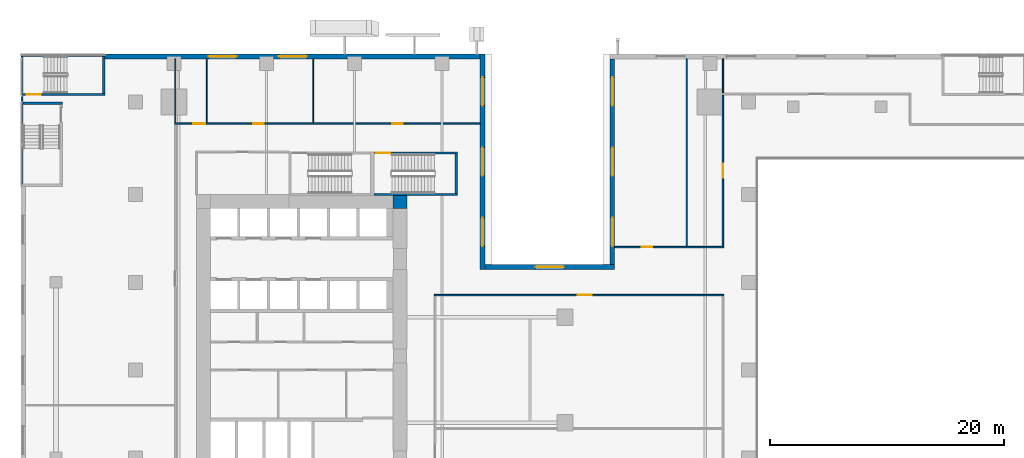
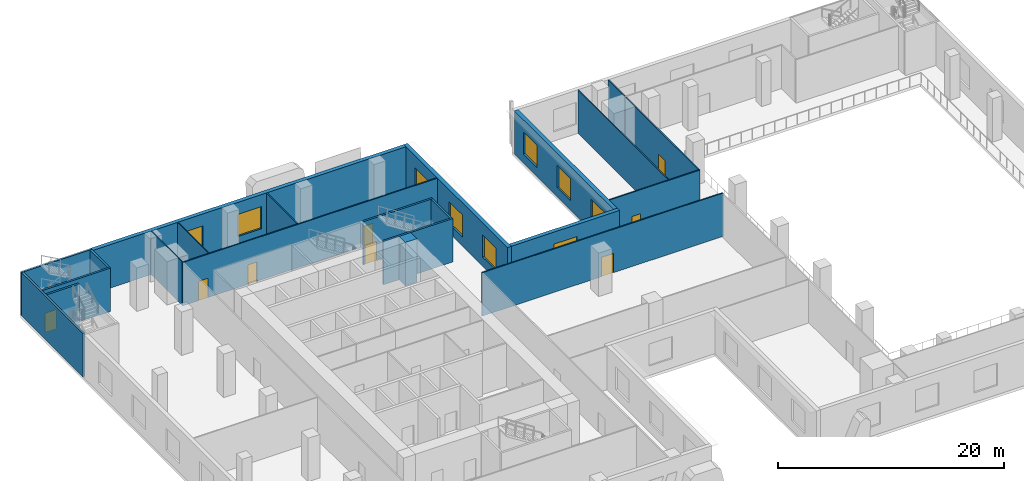
# One storey, part 13 of 23: 22 walls, 9 windows, 8 doors, 17 openings.
"""IFC4 building model written with IfcOpenShell, lengths in metres."""

from ifc_helpers import new_model, si_unit, direction, frame, frame_2d, origin, place, context, subcontext, project, spatial, rectangle, extrude, source, transform, mapped, material, layer, layer_set, type_object, element, fill, save


model = new_model("IFC4")

# Units and contexts
model_context = context("Model", 3, precision=1e-05, world=origin(), true_north=direction((0.0, 1.0)))
body_context = subcontext(model_context, "Body", "Model", "MODEL_VIEW")
ifc_project = project(units=[si_unit("LENGTHUNIT", "METRE"), si_unit("AREAUNIT", "SQUARE_METRE"), si_unit("VOLUMEUNIT", "CUBIC_METRE"), si_unit("PLANEANGLEUNIT", "RADIAN"), si_unit("MASSUNIT", "GRAM", prefix="KILO")], contexts=[model_context])

# Site, building, storey
site_placement = place(None, origin())
site = spatial("IfcSite", under=ifc_project, at=site_placement, CompositionType="ELEMENT")
building_placement = place(site_placement, origin())
building = spatial("IfcBuilding", under=site, at=building_placement, Name="Khomas Fold Tower", CompositionType="ELEMENT")
storey_placement = place(building_placement, frame((0.0, 0.0, 18.5)))
storey = spatial("IfcBuildingStorey", under=building, at=storey_placement, Name="L03", CompositionType="ELEMENT", Elevation=18.5)

# Wall
ifc_material_1 = material(Name="Concrete C70/85", Category="concrete")
ifc_layer_1 = layer(ifc_material_1, 1.10009765625)
ifc_layer_set_1 = layer_set([ifc_layer_1], Name="Concrete C70/85")
wall_type_1 = type_object("IfcWallType", Name="Core corner wall 1100", PredefinedType="SHEAR", material=ifc_layer_set_1)
shared_shape_1 = source(origin(), body_context, "Body", "SweptSolid", [
    extrude(rectangle(XDim=1.199951171875, YDim=1.10009765625, at=frame_2d((0.60009765625, 0.0))), origin(), (0.0, 0.0, 1.0), 4.699951171875),
])
wall_1_placement = place(storey_placement, frame((22.800048828125, 41.35009765625, 0.0), z_axis=(0.0, 0.0, 1.0), x_axis=(1.0, 0.0, 0.0)))
element("IfcWall", 1, at=wall_1_placement, inside=storey, type_object=wall_type_1, Name="Core wall CW-L-NE-B2", PredefinedType="SHEAR", context=body_context, shape_type="MappedRepresentation", body=[
    mapped(shared_shape_1, transform((0.0, 0.0, 0.0))),
])

# Wall, opening, door
ifc_material_2 = material(Name="Concrete C30/37", Category="concrete")
ifc_layer_2 = layer(ifc_material_2, 0.199951171875)
ifc_layer_set_2 = layer_set([ifc_layer_2], Name="Concrete C30/37")
wall_type_2 = type_object("IfcWallType", Name="Stair wall PW5 200", PredefinedType="PARTITIONING", material=ifc_layer_set_2)
shared_shape_2 = source(origin(), body_context, "Body", "SweptSolid", [
    extrude(rectangle(XDim=7.0, YDim=0.199951171875, at=frame_2d((3.5, 0.0))), origin(), (0.0, 0.0, 1.0), 4.699951171875),
])
wall_2_placement = place(storey_placement, frame((-8.800048828125, 50.550048828125, 0.0), z_axis=(0.0, 0.0, 1.0), x_axis=(1.0, 0.0, 0.0)))
wall_2 = element("IfcWall", 2, at=wall_2_placement, inside=storey, type_object=wall_type_2, Name="Stair wall", PredefinedType="PARTITIONING", context=body_context, shape_type="MappedRepresentation", body=[
    mapped(shared_shape_2, transform((0.0, 0.0, 0.0))),
])
shared_shape_3 = source(origin(), body_context, "Body", "SweptSolid", [
    extrude(rectangle(XDim=1.199951171875, YDim=2.10009765625, at=frame_2d((0.60009765625, 1.050048828125))), frame((0.0, 0.10986328125, 0.0), z_axis=(0.0, -1.0, 0.0), x_axis=(1.0, 0.0, 0.0)), (0.0, 0.0, 1.0), 0.219970703125),
])
opening_1_placement = place(wall_2_placement, frame((0.300048828125, 0.0, 0.0)))
opening_1 = element("IfcOpeningElement", 3, at=opening_1_placement, cuts=wall_2, Name="Opening 0018", PredefinedType="OPENING", context=body_context, shape_type="MappedRepresentation", body=[
    mapped(shared_shape_3, transform((0.0, 0.0, 0.0))),
])
ifc_material_3 = material(Name="Steel door leaf", Category="steel")
door_type_1 = type_object("IfcDoorType", Name="Stair door 1200x2100 right-hand", OperationType="SINGLE_SWING_RIGHT", PredefinedType="DOOR", material=ifc_material_3)
shared_shape_4 = source(origin(), body_context, "Body", "SweptSolid", [
    extrude(rectangle(XDim=1.199951171875, YDim=2.10009765625, at=frame_2d((0.60009765625, 1.050048828125))), frame((0.0, 0.02490234375, 0.0), z_axis=(0.0, -1.0, 0.0), x_axis=(1.0, 0.0, 0.0)), (0.0, 0.0, 1.0), 0.050048828125),
])
door_1_placement = place(opening_1_placement, origin())
door_1 = element("IfcDoor", 4, at=door_1_placement, inside=storey, type_object=door_type_1, Name="Stair door", OperationType="SINGLE_SWING_RIGHT", OverallHeight=2.10009765625, OverallWidth=1.199951171875, PredefinedType="DOOR", context=body_context, shape_type="MappedRepresentation", body=[
    mapped(shared_shape_4, transform((0.0, 0.0, 0.0))),
])
fill(opening_1, door_1)

ifc_material_4 = material(Name="Concrete C50/60", Category="concrete")
ifc_layer_3 = layer(ifc_material_4, 0.199951171875)
ifc_layer_set_3 = layer_set([ifc_layer_3], Name="Concrete C50/60")
wall_type_3 = type_object("IfcWallType", Name="Stair wall 200", PredefinedType="SHEAR", material=ifc_layer_set_3)
shared_shape_5 = source(origin(), body_context, "Body", "SweptSolid", [
    extrude(rectangle(XDim=7.10009765625, YDim=0.199951171875, at=frame_2d((3.550048828125, 0.0))), origin(), (0.0, 0.0, 1.0), 4.699951171875),
])
wall_3_placement = place(storey_placement, frame((21.199951171875, 45.550048828125, 0.0), z_axis=(0.0, 0.0, 1.0), x_axis=(1.0, 0.0, 0.0)))
wall_3 = element("IfcWall", 5, at=wall_3_placement, inside=storey, type_object=wall_type_3, Name="Stair wall SW-ST3-N", PredefinedType="SHEAR", context=body_context, shape_type="MappedRepresentation", body=[
    mapped(shared_shape_5, transform((0.0, 0.0, 0.0))),
])
opening_2_placement = place(wall_3_placement, frame((0.14990234375, 0.0, 0.0)))
opening_2 = element("IfcOpeningElement", 6, at=opening_2_placement, cuts=wall_3, Name="Opening SD-ST3", PredefinedType="OPENING", context=body_context, shape_type="MappedRepresentation", body=[
    mapped(shared_shape_3, transform((0.0, 0.0, 0.0))),
])
ifc_material_5 = material(Name="Steel door leaf", Category="steel")
door_type_2 = type_object("IfcDoorType", Name="Stair door 1200x2100 left-hand", OperationType="SINGLE_SWING_LEFT", PredefinedType="DOOR", material=ifc_material_5)
door_2_placement = place(opening_2_placement, origin())
door_2 = element("IfcDoor", 7, at=door_2_placement, inside=storey, type_object=door_type_2, Name="Stair door", OperationType="SINGLE_SWING_LEFT", OverallHeight=2.10009765625, OverallWidth=1.199951171875, PredefinedType="DOOR", context=body_context, shape_type="MappedRepresentation", body=[
    mapped(shared_shape_4, transform((0.0, 0.0, 0.0))),
])
fill(opening_2, door_2)

# Walls
wall_4_placement = place(storey_placement, frame((21.199951171875, 42.0, 0.0), z_axis=(0.0, 0.0, 1.0), x_axis=(1.0, 0.0, 0.0)))
element("IfcWall", 8, at=wall_4_placement, inside=storey, type_object=wall_type_3, Name="Stair wall SW-ST3-S", PredefinedType="SHEAR", context=body_context, shape_type="MappedRepresentation", body=[
    mapped(shared_shape_5, transform((0.0, 0.0, 0.0))),
])
shared_shape_6 = source(origin(), body_context, "Body", "SweptSolid", [
    extrude(rectangle(XDim=3.349853515625, YDim=0.199951171875, at=frame_2d((1.6748046875, 0.0))), origin(), (0.0, 0.0, 1.0), 4.699951171875),
])
wall_5_placement = place(storey_placement, frame((28.199951171875, 42.10009765625, 0.0), z_axis=(0.0, 0.0, 1.0), x_axis=(0.0, 1.0, 0.0)))
element("IfcWall", 9, at=wall_5_placement, inside=storey, type_object=wall_type_3, Name="Stair wall SW-ST3-E", PredefinedType="SHEAR", context=body_context, shape_type="MappedRepresentation", body=[
    mapped(shared_shape_6, transform((0.0, 0.0, 0.0))),
])

# Wall, openings, windows
ifc_material_6 = material(Name="Concrete C40/50", Category="concrete")
ifc_layer_4 = layer(ifc_material_6, 0.39990234375)
ifc_layer_set_4 = layer_set([ifc_layer_4], Name="Concrete C40/50")
wall_type_4 = type_object("IfcWallType", Name="Stone-clad concrete wall 400", PredefinedType="SOLIDWALL", material=ifc_layer_set_4)
shared_shape_7 = source(origin(), body_context, "Body", "SweptSolid", [
    extrude(rectangle(XDim=17.60009765625, YDim=0.39990234375, at=frame_2d((8.800048828125, 0.0))), origin(), (0.0, 0.0, 1.0), 4.699951171875),
])
wall_6_placement = place(storey_placement, frame((41.550048828125, 53.60009765625, 0.0), z_axis=(0.0, 0.0, 1.0), x_axis=(0.0, -1.0, 0.0)))
wall_6 = element("IfcWall", 10, at=wall_6_placement, inside=storey, type_object=wall_type_4, Name="Podium wall", PredefinedType="SOLIDWALL", context=body_context, shape_type="MappedRepresentation", body=[
    mapped(shared_shape_7, transform((0.0, 0.0, 0.0))),
])
shared_shape_8 = source(origin(), body_context, "Body", "SweptSolid", [
    extrude(rectangle(XDim=2.39990234375, YDim=2.39990234375, at=frame_2d((1.199951171875, 1.199951171875))), frame((0.0, 0.2099609375, 0.0), z_axis=(0.0, -1.0, 0.0), x_axis=(1.0, 0.0, 0.0)), (0.0, 0.0, 1.0), 0.419921875),
])
opening_3_placement = place(wall_6_placement, frame((1.60009765625, 0.0, 1.0)))
opening_3 = element("IfcOpeningElement", 11, at=opening_3_placement, cuts=wall_6, Name="Opening PD-WN", PredefinedType="OPENING", context=body_context, shape_type="MappedRepresentation", body=[
    mapped(shared_shape_8, transform((0.0, 0.0, 0.0))),
])
opening_4_placement = place(wall_6_placement, frame((7.60009765625, 0.0, 1.0)))
opening_4 = element("IfcOpeningElement", 12, at=opening_4_placement, cuts=wall_6, Name="Opening PD-WN", PredefinedType="OPENING", context=body_context, shape_type="MappedRepresentation", body=[
    mapped(shared_shape_8, transform((0.0, 0.0, 0.0))),
])
opening_5_placement = place(wall_6_placement, frame((13.60009765625, 0.0, 1.0)))
opening_5 = element("IfcOpeningElement", 13, at=opening_5_placement, cuts=wall_6, Name="Opening PD-WN", PredefinedType="OPENING", context=body_context, shape_type="MappedRepresentation", body=[
    mapped(shared_shape_8, transform((0.0, 0.0, 0.0))),
])
ifc_material_7 = material(Name="Aluminium framed double glazing", Category="aluminium")
window_type = type_object("IfcWindowType", Name="Podium window 2400 x 2400", PartitioningType="SINGLE_PANEL", PredefinedType="WINDOW", material=ifc_material_7)
shared_shape_9 = source(origin(), body_context, "Body", "SweptSolid", [
    extrude(rectangle(XDim=2.39990234375, YDim=2.39990234375, at=frame_2d((1.199951171875, 1.199951171875))), frame((0.0, 0.030029296875, 0.0), z_axis=(0.0, -1.0, 0.0), x_axis=(1.0, 0.0, 0.0)), (0.0, 0.0, 1.0), 0.06005859375),
])
window_1_placement = place(opening_3_placement, origin())
window_1 = element("IfcWindow", 14, at=window_1_placement, inside=storey, type_object=window_type, Name="Podium window", OverallHeight=2.39990234375, OverallWidth=2.39990234375, PartitioningType="SINGLE_PANEL", PredefinedType="WINDOW", context=body_context, shape_type="MappedRepresentation", body=[
    mapped(shared_shape_9, transform((0.0, 0.0, 0.0))),
])
fill(opening_3, window_1)
window_2_placement = place(opening_4_placement, origin())
window_2 = element("IfcWindow", 15, at=window_2_placement, inside=storey, type_object=window_type, Name="Podium window", OverallHeight=2.39990234375, OverallWidth=2.39990234375, PartitioningType="SINGLE_PANEL", PredefinedType="WINDOW", context=body_context, shape_type="MappedRepresentation", body=[
    mapped(shared_shape_9, transform((0.0, 0.0, 0.0))),
])
fill(opening_4, window_2)
window_3_placement = place(opening_5_placement, origin())
window_3 = element("IfcWindow", 16, at=window_3_placement, inside=storey, type_object=window_type, Name="Podium window", OverallHeight=2.39990234375, OverallWidth=2.39990234375, PartitioningType="SINGLE_PANEL", PredefinedType="WINDOW", context=body_context, shape_type="MappedRepresentation", body=[
    mapped(shared_shape_9, transform((0.0, 0.0, 0.0))),
])
fill(opening_5, window_3)

# Wall, opening, window
shared_shape_10 = source(origin(), body_context, "Body", "SweptSolid", [
    extrude(rectangle(XDim=11.10009765625, YDim=0.39990234375, at=frame_2d((5.550048828125, 0.0))), origin(), (0.0, 0.0, 1.0), 4.699951171875),
])
wall_7_placement = place(storey_placement, frame((41.75, 35.800048828125, 0.0), z_axis=(0.0, 0.0, 1.0), x_axis=(-1.0, 0.0, 0.0)))
wall_7 = element("IfcWall", 17, at=wall_7_placement, inside=storey, type_object=wall_type_4, Name="Podium wall", PredefinedType="SOLIDWALL", context=body_context, shape_type="MappedRepresentation", body=[
    mapped(shared_shape_10, transform((0.0, 0.0, 0.0))),
])
opening_6_placement = place(wall_7_placement, frame((4.35009765625, 0.0, 1.0)))
opening_6 = element("IfcOpeningElement", 18, at=opening_6_placement, cuts=wall_7, Name="Opening PD-WN", PredefinedType="OPENING", context=body_context, shape_type="MappedRepresentation", body=[
    mapped(shared_shape_8, transform((0.0, 0.0, 0.0))),
])
window_4_placement = place(opening_6_placement, origin())
window_4 = element("IfcWindow", 19, at=window_4_placement, inside=storey, type_object=window_type, Name="Podium window", OverallHeight=2.39990234375, OverallWidth=2.39990234375, PartitioningType="SINGLE_PANEL", PredefinedType="WINDOW", context=body_context, shape_type="MappedRepresentation", body=[
    mapped(shared_shape_9, transform((0.0, 0.0, 0.0))),
])
fill(opening_6, window_4)

# Wall, openings, windows
shared_shape_11 = source(origin(), body_context, "Body", "SweptSolid", [
    extrude(rectangle(XDim=18.39990234375, YDim=0.39990234375, at=frame_2d((9.199951171875, 0.0))), origin(), (0.0, 0.0, 1.0), 4.699951171875),
])
wall_8_placement = place(storey_placement, frame((30.449951171875, 35.60009765625, 0.0), z_axis=(0.0, 0.0, 1.0), x_axis=(0.0, 1.0, 0.0)))
wall_8 = element("IfcWall", 20, at=wall_8_placement, inside=storey, type_object=wall_type_4, Name="Podium wall", PredefinedType="SOLIDWALL", context=body_context, shape_type="MappedRepresentation", body=[
    mapped(shared_shape_11, transform((0.0, 0.0, 0.0))),
])
opening_7_placement = place(wall_8_placement, frame((2.0, 0.0, 1.0)))
opening_7 = element("IfcOpeningElement", 21, at=opening_7_placement, cuts=wall_8, Name="Opening PD-WN", PredefinedType="OPENING", context=body_context, shape_type="MappedRepresentation", body=[
    mapped(shared_shape_8, transform((0.0, 0.0, 0.0))),
])
opening_8_placement = place(wall_8_placement, frame((8.0, 0.0, 1.0)))
opening_8 = element("IfcOpeningElement", 22, at=opening_8_placement, cuts=wall_8, Name="Opening PD-WN", PredefinedType="OPENING", context=body_context, shape_type="MappedRepresentation", body=[
    mapped(shared_shape_8, transform((0.0, 0.0, 0.0))),
])
opening_9_placement = place(wall_8_placement, frame((14.0, 0.0, 1.0)))
opening_9 = element("IfcOpeningElement", 23, at=opening_9_placement, cuts=wall_8, Name="Opening PD-WN", PredefinedType="OPENING", context=body_context, shape_type="MappedRepresentation", body=[
    mapped(shared_shape_8, transform((0.0, 0.0, 0.0))),
])
window_5_placement = place(opening_7_placement, origin())
window_5 = element("IfcWindow", 24, at=window_5_placement, inside=storey, type_object=window_type, Name="Podium window", OverallHeight=2.39990234375, OverallWidth=2.39990234375, PartitioningType="SINGLE_PANEL", PredefinedType="WINDOW", context=body_context, shape_type="MappedRepresentation", body=[
    mapped(shared_shape_9, transform((0.0, 0.0, 0.0))),
])
fill(opening_7, window_5)
window_6_placement = place(opening_8_placement, origin())
window_6 = element("IfcWindow", 25, at=window_6_placement, inside=storey, type_object=window_type, Name="Podium window", OverallHeight=2.39990234375, OverallWidth=2.39990234375, PartitioningType="SINGLE_PANEL", PredefinedType="WINDOW", context=body_context, shape_type="MappedRepresentation", body=[
    mapped(shared_shape_9, transform((0.0, 0.0, 0.0))),
])
fill(opening_8, window_6)
window_7_placement = place(opening_9_placement, origin())
window_7 = element("IfcWindow", 26, at=window_7_placement, inside=storey, type_object=window_type, Name="Podium window", OverallHeight=2.39990234375, OverallWidth=2.39990234375, PartitioningType="SINGLE_PANEL", PredefinedType="WINDOW", context=body_context, shape_type="MappedRepresentation", body=[
    mapped(shared_shape_9, transform((0.0, 0.0, 0.0))),
])
fill(opening_9, window_7)

shared_shape_12 = source(origin(), body_context, "Body", "SweptSolid", [
    extrude(rectangle(XDim=32.0400390625, YDim=0.39990234375, at=frame_2d((16.02001953125, 0.0))), origin(), (0.0, 0.0, 1.0), 4.699951171875),
])
wall_9_placement = place(storey_placement, frame((30.25, 53.800048828125, 0.0), z_axis=(0.0, 0.0, 1.0), x_axis=(-1.0, 0.0, 0.0)))
wall_9 = element("IfcWall", 27, at=wall_9_placement, inside=storey, type_object=wall_type_4, Name="Podium wall", PredefinedType="SOLIDWALL", context=body_context, shape_type="MappedRepresentation", body=[
    mapped(shared_shape_12, transform((0.0, 0.0, 0.0))),
])
opening_10_placement = place(wall_9_placement, frame((14.800048828125, 0.0, 1.0)))
opening_10 = element("IfcOpeningElement", 28, at=opening_10_placement, cuts=wall_9, Name="Opening PD-WN", PredefinedType="OPENING", context=body_context, shape_type="MappedRepresentation", body=[
    mapped(shared_shape_8, transform((0.0, 0.0, 0.0))),
])
opening_11_placement = place(wall_9_placement, frame((20.800048828125, 0.0, 1.0)))
opening_11 = element("IfcOpeningElement", 29, at=opening_11_placement, cuts=wall_9, Name="Opening PD-WN", PredefinedType="OPENING", context=body_context, shape_type="MappedRepresentation", body=[
    mapped(shared_shape_8, transform((0.0, 0.0, 0.0))),
])
window_8_placement = place(opening_10_placement, origin())
window_8 = element("IfcWindow", 30, at=window_8_placement, inside=storey, type_object=window_type, Name="Podium window", OverallHeight=2.39990234375, OverallWidth=2.39990234375, PartitioningType="SINGLE_PANEL", PredefinedType="WINDOW", context=body_context, shape_type="MappedRepresentation", body=[
    mapped(shared_shape_9, transform((0.0, 0.0, 0.0))),
])
fill(opening_10, window_8)
window_9_placement = place(opening_11_placement, origin())
window_9 = element("IfcWindow", 31, at=window_9_placement, inside=storey, type_object=window_type, Name="Podium window", OverallHeight=2.39990234375, OverallWidth=2.39990234375, PartitioningType="SINGLE_PANEL", PredefinedType="WINDOW", context=body_context, shape_type="MappedRepresentation", body=[
    mapped(shared_shape_9, transform((0.0, 0.0, 0.0))),
])
fill(opening_11, window_9)

# Walls
ifc_material_8 = material(Name="Plasterboard partition")
ifc_layer_5 = layer(ifc_material_8, 0.10009765625)
ifc_layer_set_5 = layer_set([ifc_layer_5], Name="Plasterboard partition")
wall_type_5 = type_object("IfcWallType", Name="Partition PW1 100", PredefinedType="PARTITIONING", material=ifc_layer_set_5)
shared_shape_13 = source(origin(), body_context, "Body", "SweptSolid", [
    extrude(rectangle(XDim=5.4501953125, YDim=0.10009765625, at=frame_2d((2.72509765625, 0.0))), origin(), (0.0, 0.0, 1.0), 4.699951171875),
])
for number, where, z_axis, x_axis, name in (
    (32, (4.199951171875, 48.14990234375, 0.0), (0.0, 0.0, 1.0), (0.0, 1.0, 0.0), "Partition"),
    (33, (6.89990234375, 48.14990234375, 0.0), (0.0, 0.0, 1.0), (0.0, 1.0, 0.0), "Partition"),
    (34, (16.0, 48.14990234375, 0.0), (0.0, 0.0, 1.0), (0.0, 1.0, 0.0), "Partition"),
):
    element("IfcWall", number, at=place(storey_placement, frame(where, z_axis=z_axis, x_axis=x_axis)), inside=storey, type_object=wall_type_5, Name=name, PredefinedType="PARTITIONING", context=body_context, shape_type="MappedRepresentation", body=[
        mapped(shared_shape_13, transform((0.0, 0.0, 0.0))),
    ])
shared_shape_14 = source(origin(), body_context, "Body", "SweptSolid", [
    extrude(rectangle(XDim=7.199951171875, YDim=0.199951171875, at=frame_2d((3.60009765625, 0.0))), origin(), (0.0, 0.0, 1.0), 4.699951171875),
])
wall_10_placement = place(storey_placement, frame((-9.0, 53.89990234375, 0.0), z_axis=(0.0, 0.0, 1.0), x_axis=(1.0, 0.0, 0.0)))
element("IfcWall", 35, at=wall_10_placement, inside=storey, type_object=wall_type_2, Name="Stair wall", PredefinedType="PARTITIONING", context=body_context, shape_type="MappedRepresentation", body=[
    mapped(shared_shape_14, transform((0.0, 0.0, 0.0))),
])
shared_shape_15 = source(origin(), body_context, "Body", "SweptSolid", [
    extrude(rectangle(XDim=10.900146484375, YDim=0.199951171875, at=frame_2d((5.4501953125, 0.0))), origin(), (0.0, 0.0, 1.0), 4.699951171875),
])
wall_11_placement = place(storey_placement, frame((-8.89990234375, 42.89990234375, 0.0), z_axis=(0.0, 0.0, 1.0), x_axis=(0.0, 1.0, 0.0)))
element("IfcWall", 36, at=wall_11_placement, inside=storey, type_object=wall_type_2, Name="Stair wall", PredefinedType="PARTITIONING", context=body_context, shape_type="MappedRepresentation", body=[
    mapped(shared_shape_15, transform((0.0, 0.0, 0.0))),
])
shared_shape_16 = source(origin(), body_context, "Body", "SweptSolid", [
    extrude(rectangle(XDim=3.150146484375, YDim=0.199951171875, at=frame_2d((1.5751953125, 0.0))), origin(), (0.0, 0.0, 1.0), 4.699951171875),
])
wall_12_placement = place(storey_placement, frame((-1.89990234375, 50.64990234375, 0.0), z_axis=(0.0, 0.0, 1.0), x_axis=(0.0, 1.0, 0.0)))
element("IfcWall", 37, at=wall_12_placement, inside=storey, type_object=wall_type_2, Name="Stair wall", PredefinedType="PARTITIONING", context=body_context, shape_type="MappedRepresentation", body=[
    mapped(shared_shape_16, transform((0.0, 0.0, 0.0))),
])
shared_shape_17 = source(origin(), body_context, "Body", "SweptSolid", [
    extrude(rectangle(XDim=3.35009765625, YDim=0.199951171875, at=frame_2d((1.675048828125, 0.0))), origin(), (0.0, 0.0, 1.0), 4.699951171875),
])
wall_13_placement = place(storey_placement, frame((-8.800048828125, 49.800048828125, 0.0), z_axis=(0.0, 0.0, 1.0), x_axis=(1.0, 0.0, 0.0)))
element("IfcWall", 38, at=wall_13_placement, inside=storey, type_object=wall_type_2, Name="Stair wall", PredefinedType="PARTITIONING", context=body_context, shape_type="MappedRepresentation", body=[
    mapped(shared_shape_17, transform((0.0, 0.0, 0.0))),
])

# Wall, opening, door
ifc_material_9 = material(Name="Plasterboard partition")
ifc_layer_6 = layer(ifc_material_9, 0.125)
ifc_layer_set_6 = layer_set([ifc_layer_6], Name="Plasterboard partition")
wall_type_6 = type_object("IfcWallType", Name="Partition PW2 125", PredefinedType="PARTITIONING", material=ifc_layer_set_6)
shared_shape_18 = source(origin(), body_context, "Body", "SweptSolid", [
    extrude(rectangle(XDim=24.699951171875, YDim=0.125, at=frame_2d((12.35009765625, 0.0))), origin(), (0.0, 0.0, 1.0), 4.699951171875),
])
wall_14_placement = place(storey_placement, frame((26.35009765625, 33.39990234375, 0.0), z_axis=(0.0, 0.0, 1.0), x_axis=(1.0, 0.0, 0.0)))
wall_14 = element("IfcWall", 39, at=wall_14_placement, inside=storey, type_object=wall_type_6, Name="Partition", PredefinedType="PARTITIONING", context=body_context, shape_type="MappedRepresentation", body=[
    mapped(shared_shape_18, transform((0.0, 0.0, 0.0))),
])
shared_shape_19 = source(origin(), body_context, "Body", "SweptSolid", [
    extrude(rectangle(XDim=1.199951171875, YDim=2.10009765625, at=frame_2d((0.60009765625, 1.050048828125))), frame((0.0, 0.072509765625, 0.0), z_axis=(0.0, -1.0, 0.0), x_axis=(1.0, 0.0, 0.0)), (0.0, 0.0, 1.0), 0.14501953125),
])
opening_12_placement = place(wall_14_placement, frame((12.25, 0.0, 0.0)))
opening_12 = element("IfcOpeningElement", 40, at=opening_12_placement, cuts=wall_14, Name="Opening 0001", PredefinedType="OPENING", context=body_context, shape_type="MappedRepresentation", body=[
    mapped(shared_shape_19, transform((0.0, 0.0, 0.0))),
])
ifc_material_10 = material(Name="Timber door leaf", Category="wood")
door_type_3 = type_object("IfcDoorType", Name="Door 1200x2100 right-hand", OperationType="SINGLE_SWING_RIGHT", PredefinedType="DOOR", material=ifc_material_10)
door_3_placement = place(opening_12_placement, origin())
door_3 = element("IfcDoor", 41, at=door_3_placement, inside=storey, type_object=door_type_3, Name="Door", OperationType="SINGLE_SWING_RIGHT", OverallHeight=2.10009765625, OverallWidth=1.199951171875, PredefinedType="DOOR", context=body_context, shape_type="MappedRepresentation", body=[
    mapped(shared_shape_4, transform((0.0, 0.0, 0.0))),
])
fill(opening_12, door_3)

shared_shape_20 = source(origin(), body_context, "Body", "SweptSolid", [
    extrude(rectangle(XDim=9.300048828125, YDim=0.125, at=frame_2d((4.64990234375, 0.0))), origin(), (0.0, 0.0, 1.0), 4.699951171875),
])
wall_15_placement = place(storey_placement, frame((41.75, 37.5, 0.0), z_axis=(0.0, 0.0, 1.0), x_axis=(1.0, 0.0, 0.0)))
wall_15 = element("IfcWall", 42, at=wall_15_placement, inside=storey, type_object=wall_type_6, Name="Partition", PredefinedType="PARTITIONING", context=body_context, shape_type="MappedRepresentation", body=[
    mapped(shared_shape_20, transform((0.0, 0.0, 0.0))),
])
shared_shape_21 = source(origin(), body_context, "Body", "SweptSolid", [
    extrude(rectangle(XDim=0.89990234375, YDim=2.10009765625, at=frame_2d((0.449951171875, 1.050048828125))), frame((0.0, 0.072509765625, 0.0), z_axis=(0.0, -1.0, 0.0), x_axis=(1.0, 0.0, 0.0)), (0.0, 0.0, 1.0), 0.14501953125),
])
opening_13_placement = place(wall_15_placement, frame((2.300048828125, 0.0, 0.0)))
opening_13 = element("IfcOpeningElement", 43, at=opening_13_placement, cuts=wall_15, Name="Opening 0008", PredefinedType="OPENING", context=body_context, shape_type="MappedRepresentation", body=[
    mapped(shared_shape_21, transform((0.0, 0.0, 0.0))),
])
ifc_material_11 = material(Name="Timber door leaf", Category="wood")
door_type_4 = type_object("IfcDoorType", Name="Door 900x2100 right-hand", OperationType="SINGLE_SWING_RIGHT", PredefinedType="DOOR", material=ifc_material_11)
shared_shape_22 = source(origin(), body_context, "Body", "SweptSolid", [
    extrude(rectangle(XDim=0.89990234375, YDim=2.10009765625, at=frame_2d((0.449951171875, 1.050048828125))), frame((0.0, 0.02490234375, 0.0), z_axis=(0.0, -1.0, 0.0), x_axis=(1.0, 0.0, 0.0)), (0.0, 0.0, 1.0), 0.050048828125),
])
door_4_placement = place(opening_13_placement, origin())
door_4 = element("IfcDoor", 44, at=door_4_placement, inside=storey, type_object=door_type_4, Name="Door", OperationType="SINGLE_SWING_RIGHT", OverallHeight=2.10009765625, OverallWidth=0.89990234375, PredefinedType="DOOR", context=body_context, shape_type="MappedRepresentation", body=[
    mapped(shared_shape_22, transform((0.0, 0.0, 0.0))),
])
fill(opening_13, door_4)

# Wall
shared_shape_23 = source(origin(), body_context, "Body", "SweptSolid", [
    extrude(rectangle(XDim=16.0, YDim=0.10009765625, at=frame_2d((8.0, 0.0))), origin(), (0.0, 0.0, 1.0), 4.699951171875),
])
wall_16_placement = place(storey_placement, frame((47.89990234375, 37.60009765625, 0.0), z_axis=(0.0, 0.0, 1.0), x_axis=(0.0, 1.0, 0.0)))
element("IfcWall", 45, at=wall_16_placement, inside=storey, type_object=wall_type_5, Name="Partition", PredefinedType="PARTITIONING", context=body_context, shape_type="MappedRepresentation", body=[
    mapped(shared_shape_23, transform((0.0, 0.0, 0.0))),
])

# Wall, opening, door
shared_shape_24 = source(origin(), body_context, "Body", "SweptSolid", [
    extrude(rectangle(XDim=12.89990234375, YDim=0.125, at=frame_2d((6.449951171875, 0.0))), origin(), (0.0, 0.0, 1.0), 4.699951171875),
])
wall_17_placement = place(storey_placement, frame((51.0, 37.60009765625, 0.0), z_axis=(0.0, 0.0, 1.0), x_axis=(0.0, 1.0, 0.0)))
wall_17 = element("IfcWall", 46, at=wall_17_placement, inside=storey, type_object=wall_type_6, Name="Partition", PredefinedType="PARTITIONING", context=body_context, shape_type="MappedRepresentation", body=[
    mapped(shared_shape_24, transform((0.0, 0.0, 0.0))),
])
opening_14_placement = place(wall_17_placement, frame((5.85009765625, 0.0, 0.0)))
opening_14 = element("IfcOpeningElement", 47, at=opening_14_placement, cuts=wall_17, Name="Opening 0001", PredefinedType="OPENING", context=body_context, shape_type="MappedRepresentation", body=[
    mapped(shared_shape_19, transform((0.0, 0.0, 0.0))),
])
door_5_placement = place(opening_14_placement, origin())
door_5 = element("IfcDoor", 48, at=door_5_placement, inside=storey, type_object=door_type_3, Name="Door", OperationType="SINGLE_SWING_RIGHT", OverallHeight=2.10009765625, OverallWidth=1.199951171875, PredefinedType="DOOR", context=body_context, shape_type="MappedRepresentation", body=[
    mapped(shared_shape_4, transform((0.0, 0.0, 0.0))),
])
fill(opening_14, door_5)

# Wall, openings, doors
shared_shape_25 = source(origin(), body_context, "Body", "SweptSolid", [
    extrude(rectangle(XDim=26.10009765625, YDim=0.125, at=frame_2d((13.050048828125, 0.0))), origin(), (0.0, 0.0, 1.0), 4.699951171875),
])
wall_18_placement = place(storey_placement, frame((4.14990234375, 48.050048828125, 0.0), z_axis=(0.0, 0.0, 1.0), x_axis=(1.0, 0.0, 0.0)))
wall_18 = element("IfcWall", 49, at=wall_18_placement, inside=storey, type_object=wall_type_6, Name="Partition", PredefinedType="PARTITIONING", context=body_context, shape_type="MappedRepresentation", body=[
    mapped(shared_shape_25, transform((0.0, 0.0, 0.0))),
])
shared_shape_26 = source(origin(), body_context, "Body", "SweptSolid", [
    extrude(rectangle(XDim=1.0, YDim=2.10009765625, at=frame_2d((0.5, 1.050048828125))), frame((0.0, 0.072509765625, 0.0), z_axis=(0.0, -1.0, 0.0), x_axis=(1.0, 0.0, 0.0)), (0.0, 0.0, 1.0), 0.14501953125),
])
opening_15_placement = place(wall_18_placement, frame((1.60009765625, 0.0, 0.0)))
opening_15 = element("IfcOpeningElement", 50, at=opening_15_placement, cuts=wall_18, Name="Opening 0014", PredefinedType="OPENING", context=body_context, shape_type="MappedRepresentation", body=[
    mapped(shared_shape_26, transform((0.0, 0.0, 0.0))),
])
opening_16_placement = place(wall_18_placement, frame((6.699951171875, 0.0, 0.0)))
opening_16 = element("IfcOpeningElement", 51, at=opening_16_placement, cuts=wall_18, Name="Opening 0004", PredefinedType="OPENING", context=body_context, shape_type="MappedRepresentation", body=[
    mapped(shared_shape_21, transform((0.0, 0.0, 0.0))),
])
opening_17_placement = place(wall_18_placement, frame((18.60009765625, 0.0, 0.0)))
opening_17 = element("IfcOpeningElement", 52, at=opening_17_placement, cuts=wall_18, Name="Opening 0008", PredefinedType="OPENING", context=body_context, shape_type="MappedRepresentation", body=[
    mapped(shared_shape_21, transform((0.0, 0.0, 0.0))),
])
ifc_material_12 = material(Name="Timber door leaf", Category="wood")
door_type_5 = type_object("IfcDoorType", Name="WC door 900x2100 right-hand", OperationType="SINGLE_SWING_RIGHT", PredefinedType="DOOR", material=ifc_material_12)
door_6_placement = place(opening_16_placement, origin())
door_6 = element("IfcDoor", 53, at=door_6_placement, inside=storey, type_object=door_type_5, Name="WC door", OperationType="SINGLE_SWING_RIGHT", OverallHeight=2.10009765625, OverallWidth=0.89990234375, PredefinedType="DOOR", context=body_context, shape_type="MappedRepresentation", body=[
    mapped(shared_shape_22, transform((0.0, 0.0, 0.0))),
])
fill(opening_16, door_6)
door_7_placement = place(opening_17_placement, origin())
door_7 = element("IfcDoor", 54, at=door_7_placement, inside=storey, type_object=door_type_4, Name="Door", OperationType="SINGLE_SWING_RIGHT", OverallHeight=2.10009765625, OverallWidth=0.89990234375, PredefinedType="DOOR", context=body_context, shape_type="MappedRepresentation", body=[
    mapped(shared_shape_22, transform((0.0, 0.0, 0.0))),
])
fill(opening_17, door_7)
ifc_material_13 = material(Name="Timber door leaf", Category="wood")
door_type_6 = type_object("IfcDoorType", Name="WC door 1000x2100 left-hand", OperationType="SINGLE_SWING_LEFT", PredefinedType="DOOR", material=ifc_material_13)
shared_shape_27 = source(origin(), body_context, "Body", "SweptSolid", [
    extrude(rectangle(XDim=1.0, YDim=2.10009765625, at=frame_2d((0.5, 1.050048828125))), frame((0.0, 0.02490234375, 0.0), z_axis=(0.0, -1.0, 0.0), x_axis=(1.0, 0.0, 0.0)), (0.0, 0.0, 1.0), 0.050048828125),
])
door_8_placement = place(opening_15_placement, origin())
door_8 = element("IfcDoor", 55, at=door_8_placement, inside=storey, type_object=door_type_6, Name="WC door", OperationType="SINGLE_SWING_LEFT", OverallHeight=2.10009765625, OverallWidth=1.0, PredefinedType="DOOR", context=body_context, shape_type="MappedRepresentation", body=[
    mapped(shared_shape_27, transform((0.0, 0.0, 0.0))),
])
fill(opening_15, door_8)

# Wall
shared_shape_28 = source(origin(), body_context, "Body", "SweptSolid", [
    extrude(rectangle(XDim=2.900146484375, YDim=0.10009765625, at=frame_2d((1.4501953125, 0.0))), origin(), (0.0, 0.0, 1.0), 4.699951171875),
])
wall_19_placement = place(storey_placement, frame((51.0, 50.699951171875, 0.0), z_axis=(0.0, 0.0, 1.0), x_axis=(0.0, 1.0, 0.0)))
element("IfcWall", 56, at=wall_19_placement, inside=storey, type_object=wall_type_5, Name="Partition", PredefinedType="PARTITIONING", context=body_context, shape_type="MappedRepresentation", body=[
    mapped(shared_shape_28, transform((0.0, 0.0, 0.0))),
])

save(model, "model.ifc")
